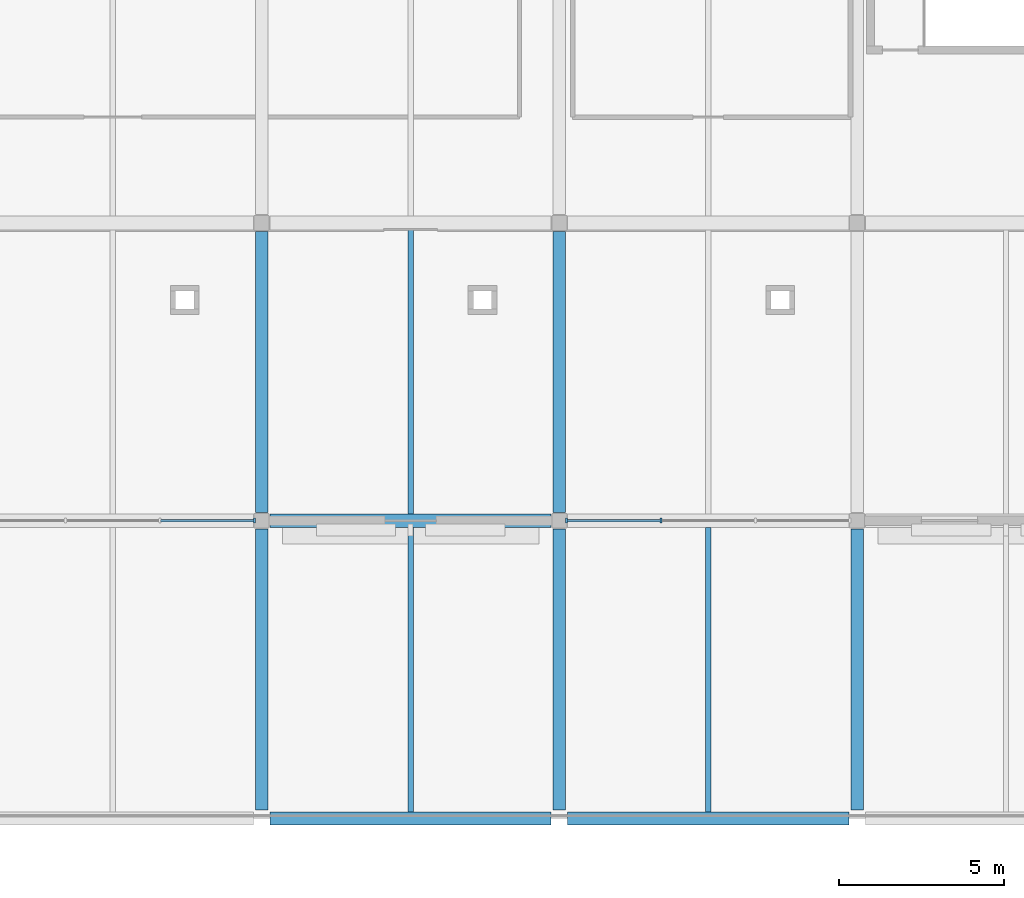
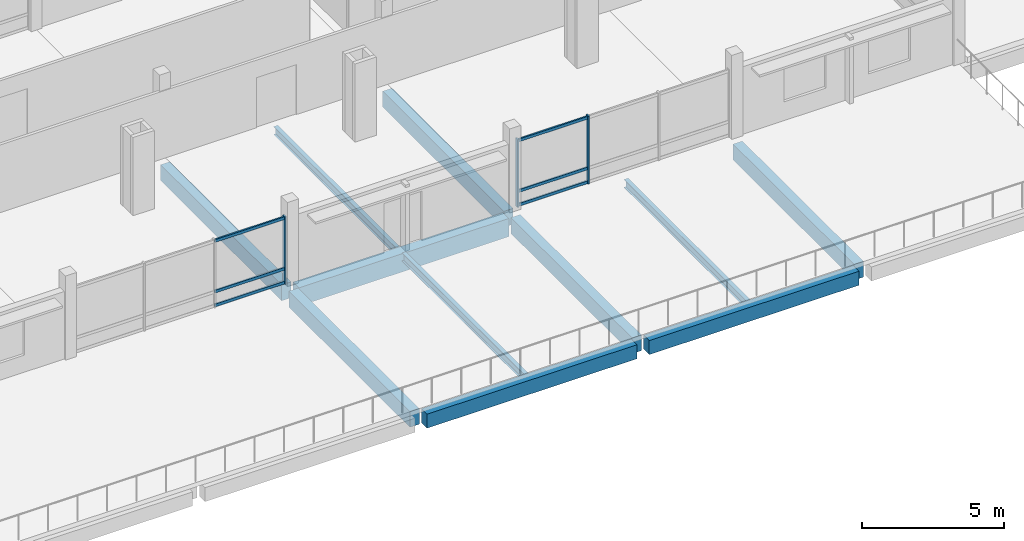
# One storey, part 73 of 163: 11 beams, 9 members, 2 elements without a shape of their own.
"""IFC4 building model written with IfcOpenShell, lengths in metres."""

from ifc_helpers import new_model, si_unit, direction, frame, origin, origin_2d, place, context, subcontext, project, spatial, rectangle, i_section, extrude, material, material_profile, profile_set, type_object, element, aggregate, save


model = new_model("IFC4")

# Units and contexts
model_context = context("Model", 3, precision=1e-05, world=origin(), true_north=direction((0.0, 1.0)))
body_context = subcontext(model_context, "Body", "Model", "MODEL_VIEW")
ifc_project = project(units=[si_unit("LENGTHUNIT", "METRE"), si_unit("AREAUNIT", "SQUARE_METRE"), si_unit("VOLUMEUNIT", "CUBIC_METRE"), si_unit("PLANEANGLEUNIT", "RADIAN"), si_unit("MASSUNIT", "GRAM", prefix="KILO")], contexts=[model_context])

# Site, building, storey
site_placement = place(None, origin())
site = spatial("IfcSite", under=ifc_project, at=site_placement, CompositionType="ELEMENT")
building_placement = place(site_placement, origin())
building = spatial("IfcBuilding", under=site, at=building_placement, Name="Tharagai Park Tramway Depot", CompositionType="ELEMENT")
storey_placement = place(building_placement, frame((0.0, 0.0, 8.39990234375)))
storey = spatial("IfcBuildingStorey", under=building, at=storey_placement, Name="L02", CompositionType="ELEMENT", Elevation=8.39990234375)

# Beams
ifc_material_1 = material(Name="Concrete M35", Category="concrete")
ifc_material_profile_1 = material_profile(ifc_material_1, rectangle(XDim=0.3798828125, YDim=0.679931640625, at=origin_2d()), Name="RC 380x680")
ifc_profile_set_1 = profile_set([ifc_material_profile_1], Name="Concrete M35")
beam_type_1 = type_object("IfcBeamType", Name="BM-12", PredefinedType="BEAM", material=ifc_profile_set_1)
for number, where, z_axis, x_axis, name in (
    (1, (162.0, 0.25, -0.52978515625), (0.0, 1.0, 0.0), (-1.0, 0.0, 0.0), "L02 Grid Beam BM-12"),
    (2, (162.0, 9.25, -0.56982421875), (0.0, 1.0, 0.0), (-1.0, 0.0, 0.0), "L02 Grid Beam BM-12"),
    (3, (171.0, 0.25, -0.52978515625), (0.0, 1.0, 0.0), (-1.0, 0.0, 0.0), "L02 Grid Beam BM-12"),
    (4, (171.0, 9.25, -0.56982421875), (0.0, 1.0, 0.0), (-1.0, 0.0, 0.0), "L02 Grid Beam BM-12"),
    (5, (180.0, 0.25, -0.52978515625), (0.0, 1.0, 0.0), (-1.0, 0.0, 0.0), "L02 Grid Beam BM-12"),
):
    element("IfcBeam", number, at=place(storey_placement, frame(where, z_axis=z_axis, x_axis=x_axis)), inside=storey, type_object=beam_type_1, Name=name, PredefinedType="BEAM", context=body_context, shape_type="SweptSolid", body=[
        extrude(rectangle(XDim=0.3798828125, YDim=0.679931640625, at=origin_2d()), origin(), (0.0, 0.0, 1.0), 8.5),
    ])
ifc_material_profile_2 = material_profile(ifc_material_1, rectangle(XDim=0.419921875, YDim=0.780029296875, at=origin_2d()), Name="RC 420x780")
ifc_profile_set_2 = profile_set([ifc_material_profile_2], Name="Concrete M35")
beam_type_2 = type_object("IfcBeamType", Name="BM-16", PredefinedType="BEAM", material=ifc_profile_set_2)
beam_1_placement = place(storey_placement, frame((162.25, 9.0, -0.619873046875), z_axis=(1.0, 0.0, 0.0), x_axis=(0.0, 1.0, 0.0)))
element("IfcBeam", 6, at=beam_1_placement, inside=storey, type_object=beam_type_2, Name="L02 Grid Beam BM-16", PredefinedType="BEAM", context=body_context, shape_type="SweptSolid", body=[
    extrude(rectangle(XDim=0.419921875, YDim=0.780029296875, at=origin_2d()), origin(), (0.0, 0.0, 1.0), 8.5),
])

# Curtain wall, members
ifc_material_2 = material(Name="Anodised aluminium", Category="aluminium")
curtain_wall_type = type_object("IfcCurtainWallType", Name="CW-02", PredefinedType="NOTDEFINED", material=ifc_material_2)
curtain_wall_1_placement = place(storey_placement, origin())
curtain_wall_1 = element("IfcCurtainWall", 7, at=curtain_wall_1_placement, inside=storey, type_object=curtain_wall_type, Name="L02 V5 Gothic Mullioned Curtain Wall CW-02", PredefinedType="NOTDEFINED")
ifc_material_profile_3 = material_profile(ifc_material_2, rectangle(XDim=0.06494140625, YDim=0.1201171875, at=origin_2d()), Name="ALU 65x120")
ifc_profile_set_3 = profile_set([ifc_material_profile_3], Name="Anodised aluminium")
member_type_1 = type_object("IfcMemberType", Name="CM-01", PredefinedType="USERDEFINED", material=ifc_profile_set_3)
member_1_placement = place(storey_placement, frame((158.943359375, 9.0, 0.06005859375), z_axis=(1.0, 0.0, 0.0), x_axis=(0.0, 1.0, 0.0)))
member_1 = element("IfcMember", 8, at=member_1_placement, type_object=member_type_1, Name="L02 V5 Gothic Mullioned Curtain Wall Transom 3.1", ObjectType="TRANSOM", PredefinedType="USERDEFINED", context=body_context, shape_type="SweptSolid", body=[
    extrude(rectangle(XDim=0.06494140625, YDim=0.1201171875, at=origin_2d()), origin(), (0.0, 0.0, 1.0), 2.82666015625),
])
member_2_placement = place(storey_placement, frame((158.943359375, 9.0, 0.650146484375), z_axis=(1.0, 0.0, 0.0), x_axis=(0.0, 1.0, 0.0)))
member_2 = element("IfcMember", 9, at=member_2_placement, type_object=member_type_1, Name="L02 V5 Gothic Mullioned Curtain Wall Transom 3.2", ObjectType="TRANSOM", PredefinedType="USERDEFINED", context=body_context, shape_type="SweptSolid", body=[
    extrude(rectangle(XDim=0.06494140625, YDim=0.1201171875, at=origin_2d()), origin(), (0.0, 0.0, 1.0), 2.82666015625),
])
member_3_placement = place(storey_placement, frame((158.943359375, 9.0, 2.820068359375), z_axis=(1.0, 0.0, 0.0), x_axis=(0.0, 1.0, 0.0)))
member_3 = element("IfcMember", 10, at=member_3_placement, type_object=member_type_1, Name="L02 V5 Gothic Mullioned Curtain Wall Transom 3.3", ObjectType="TRANSOM", PredefinedType="USERDEFINED", context=body_context, shape_type="SweptSolid", body=[
    extrude(rectangle(XDim=0.06494140625, YDim=0.1201171875, at=origin_2d()), origin(), (0.0, 0.0, 1.0), 2.82666015625),
])

curtain_wall_2_placement = place(storey_placement, origin())
curtain_wall_2 = element("IfcCurtainWall", 11, at=curtain_wall_2_placement, inside=storey, type_object=curtain_wall_type, Name="L02 V5 Gothic Mullioned Curtain Wall CW-02", PredefinedType="NOTDEFINED")
member_4_placement = place(storey_placement, frame((171.22998046875, 9.0, 0.06005859375), z_axis=(1.0, 0.0, 0.0), x_axis=(0.0, 1.0, 0.0)))
member_4 = element("IfcMember", 12, at=member_4_placement, type_object=member_type_1, Name="L02 V5 Gothic Mullioned Curtain Wall Transom 1.1", ObjectType="TRANSOM", PredefinedType="USERDEFINED", context=body_context, shape_type="SweptSolid", body=[
    extrude(rectangle(XDim=0.06494140625, YDim=0.1201171875, at=origin_2d()), origin(), (0.0, 0.0, 1.0), 2.82666015625),
])
member_5_placement = place(storey_placement, frame((171.22998046875, 9.0, 0.650146484375), z_axis=(1.0, 0.0, 0.0), x_axis=(0.0, 1.0, 0.0)))
member_5 = element("IfcMember", 13, at=member_5_placement, type_object=member_type_1, Name="L02 V5 Gothic Mullioned Curtain Wall Transom 1.2", ObjectType="TRANSOM", PredefinedType="USERDEFINED", context=body_context, shape_type="SweptSolid", body=[
    extrude(rectangle(XDim=0.06494140625, YDim=0.1201171875, at=origin_2d()), origin(), (0.0, 0.0, 1.0), 2.82666015625),
])
member_6_placement = place(storey_placement, frame((171.22998046875, 9.0, 2.820068359375), z_axis=(1.0, 0.0, 0.0), x_axis=(0.0, 1.0, 0.0)))
member_6 = element("IfcMember", 14, at=member_6_placement, type_object=member_type_1, Name="L02 V5 Gothic Mullioned Curtain Wall Transom 1.3", ObjectType="TRANSOM", PredefinedType="USERDEFINED", context=body_context, shape_type="SweptSolid", body=[
    extrude(rectangle(XDim=0.06494140625, YDim=0.1201171875, at=origin_2d()), origin(), (0.0, 0.0, 1.0), 2.82666015625),
])

# Member
ifc_material_profile_4 = material_profile(ifc_material_2, rectangle(XDim=0.06494140625, YDim=0.14990234375, at=origin_2d()), Name="ALU 65x150")
ifc_profile_set_4 = profile_set([ifc_material_profile_4], Name="Anodised aluminium")
member_type_2 = type_object("IfcMemberType", Name="CM-03", PredefinedType="MULLION", material=ifc_profile_set_4)
member_7_placement = place(storey_placement, frame((161.784912109375, 9.0, -0.0048828125), z_axis=(0.0, 0.0, 1.0), x_axis=(1.0, 0.0, 0.0)))
member_7 = element("IfcMember", 15, at=member_7_placement, type_object=member_type_2, Name="L02 V5 Gothic Mullioned Curtain Wall Mullion 4", PredefinedType="MULLION", context=body_context, shape_type="SweptSolid", body=[
    extrude(rectangle(XDim=0.06494140625, YDim=0.14990234375, at=origin_2d()), origin(), (0.0, 0.0, 1.0), 2.909912109375),
])

aggregate(curtain_wall_1, [member_7, member_1, member_2, member_3])

member_8_placement = place(storey_placement, frame((171.215087890625, 9.0, -0.0048828125), z_axis=(0.0, 0.0, 1.0), x_axis=(1.0, 0.0, 0.0)))
member_8 = element("IfcMember", 16, at=member_8_placement, type_object=member_type_2, Name="L02 V5 Gothic Mullioned Curtain Wall Mullion 1", PredefinedType="MULLION", context=body_context, shape_type="SweptSolid", body=[
    extrude(rectangle(XDim=0.06494140625, YDim=0.14990234375, at=origin_2d()), origin(), (0.0, 0.0, 1.0), 2.909912109375),
])

member_9_placement = place(storey_placement, frame((174.07177734375, 9.0, -0.0048828125), z_axis=(0.0, 0.0, 1.0), x_axis=(1.0, 0.0, 0.0)))
member_9 = element("IfcMember", 17, at=member_9_placement, type_object=member_type_2, Name="L02 V5 Gothic Mullioned Curtain Wall Mullion 2", PredefinedType="MULLION", context=body_context, shape_type="SweptSolid", body=[
    extrude(rectangle(XDim=0.06494140625, YDim=0.14990234375, at=origin_2d()), origin(), (0.0, 0.0, 1.0), 2.909912109375),
])

aggregate(curtain_wall_2, [member_8, member_9, member_4, member_5, member_6])

# Beams
ifc_material_3 = material(Name="Steel E350", Category="steel")
ifc_material_profile_5 = material_profile(ifc_material_3, i_section(OverallWidth=0.1650390625, OverallDepth=0.35009765625, WebThickness=0.00732421875, FlangeThickness=0.011474609375, FilletRadius=0.013916015625, at=origin_2d()), Name="ISLB 350")
ifc_profile_set_5 = profile_set([ifc_material_profile_5], Name="Steel E350")
beam_type_3 = type_object("IfcBeamType", Name="JT-05", PredefinedType="JOIST", material=ifc_profile_set_5)
beam_2_placement = place(storey_placement, frame((166.5, 0.199951171875, -0.364990234375), z_axis=(0.0, 1.0, 0.0), x_axis=(-1.0, 0.0, 0.0)))
element("IfcBeam", 18, at=beam_2_placement, inside=storey, type_object=beam_type_3, Name="L02 Secondary Joist JT-05", PredefinedType="JOIST", context=body_context, shape_type="SweptSolid", body=[
    extrude(i_section(OverallWidth=0.1650390625, OverallDepth=0.35009765625, WebThickness=0.00732421875, FlangeThickness=0.011474609375, FilletRadius=0.013916015625, at=origin_2d()), origin(), (0.0, 0.0, 1.0), 8.590087890625),
])
beam_3_placement = place(storey_placement, frame((166.5, 9.2099609375, -0.40478515625), z_axis=(0.0, 1.0, 0.0), x_axis=(-1.0, 0.0, 0.0)))
element("IfcBeam", 19, at=beam_3_placement, inside=storey, type_object=beam_type_3, Name="L02 Secondary Joist JT-05", PredefinedType="JOIST", context=body_context, shape_type="SweptSolid", body=[
    extrude(i_section(OverallWidth=0.1650390625, OverallDepth=0.35009765625, WebThickness=0.00732421875, FlangeThickness=0.011474609375, FilletRadius=0.013916015625, at=origin_2d()), origin(), (0.0, 0.0, 1.0), 8.580078125),
])
beam_4_placement = place(storey_placement, frame((175.5, 0.199951171875, -0.364990234375), z_axis=(0.0, 1.0, 0.0), x_axis=(-1.0, 0.0, 0.0)))
element("IfcBeam", 20, at=beam_4_placement, inside=storey, type_object=beam_type_3, Name="L02 Secondary Joist JT-05", PredefinedType="JOIST", context=body_context, shape_type="SweptSolid", body=[
    extrude(i_section(OverallWidth=0.1650390625, OverallDepth=0.35009765625, WebThickness=0.00732421875, FlangeThickness=0.011474609375, FilletRadius=0.013916015625, at=origin_2d()), origin(), (0.0, 0.0, 1.0), 8.590087890625),
])
ifc_material_profile_6 = material_profile(ifc_material_1, rectangle(XDim=0.39990234375, YDim=0.60009765625, at=origin_2d()), Name="RC 400x600")
ifc_profile_set_6 = profile_set([ifc_material_profile_6], Name="Concrete M35")
beam_type_4 = type_object("IfcBeamType", Name="SP-02", PredefinedType="SPANDREL", material=ifc_profile_set_6)
for number, where, z_axis, x_axis, name in (
    (21, (162.25, 0.0, -0.489990234375), (1.0, 0.0, 0.0), (0.0, 1.0, 0.0), "L02 Grid Beam SP-02"),
    (22, (171.25, 0.0, -0.489990234375), (1.0, 0.0, 0.0), (0.0, 1.0, 0.0), "L02 Grid Beam SP-02"),
):
    element("IfcBeam", number, at=place(storey_placement, frame(where, z_axis=z_axis, x_axis=x_axis)), inside=storey, type_object=beam_type_4, Name=name, PredefinedType="SPANDREL", context=body_context, shape_type="SweptSolid", body=[
        extrude(rectangle(XDim=0.39990234375, YDim=0.60009765625, at=origin_2d()), origin(), (0.0, 0.0, 1.0), 8.5),
    ])

save(model, "model.ifc")
